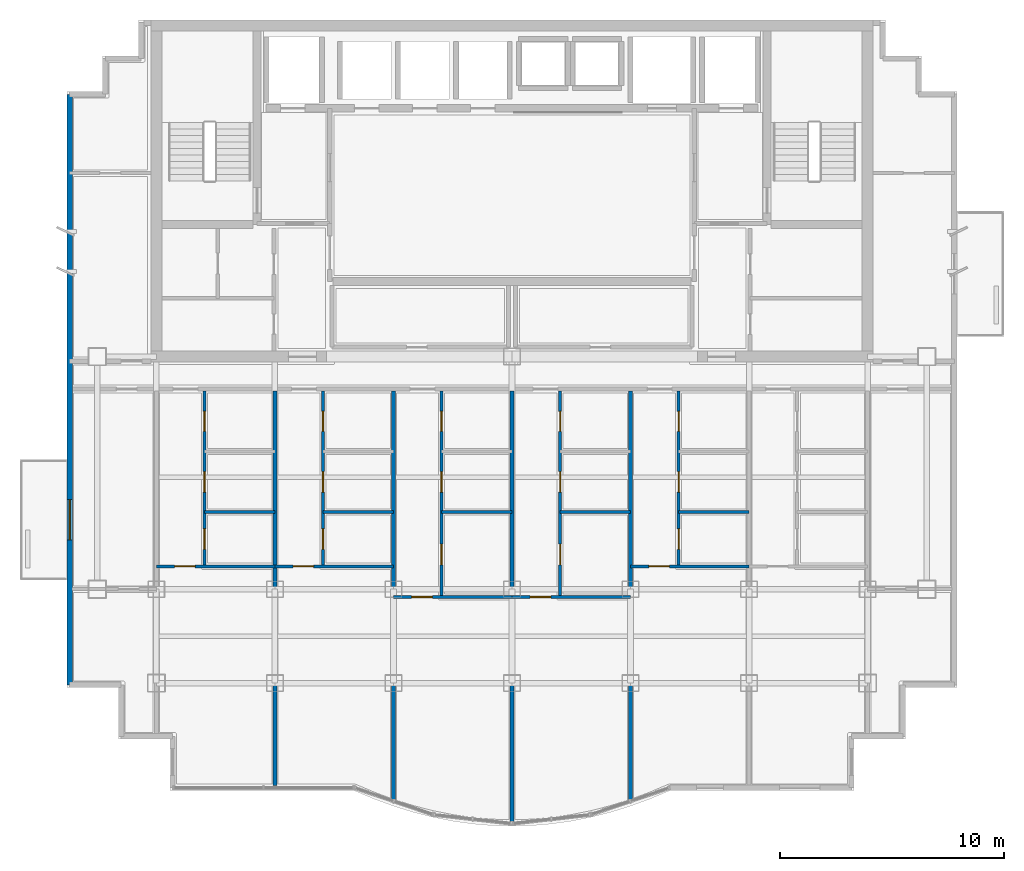
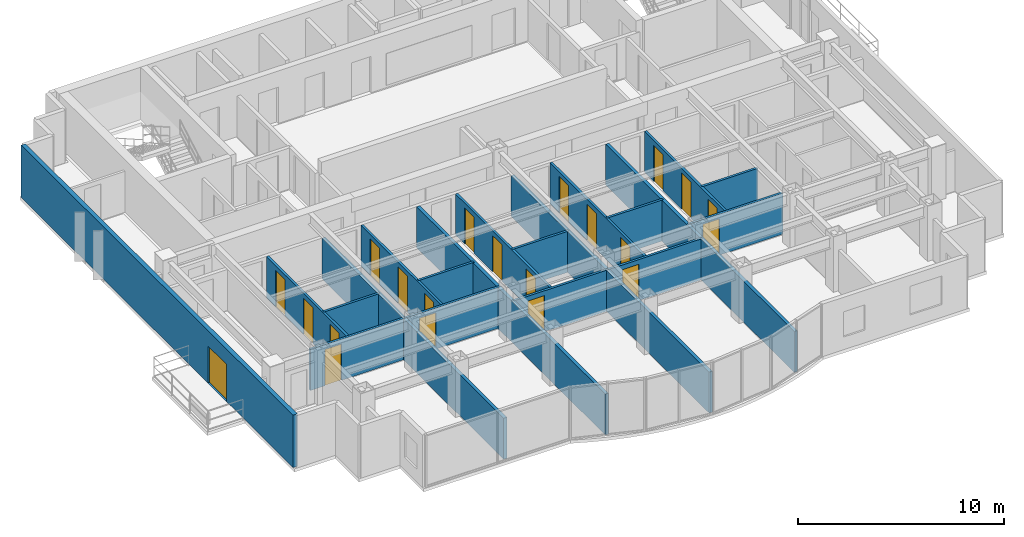
# One storey, part 4 of 9: 21 doors, 20 walls, 21 openings.
"""IFC4 building model written with IfcOpenShell, lengths in metres."""

from ifc_helpers import new_model, si_unit, direction, frame, frame_2d, origin, place, context, subcontext, project, spatial, rectangle, extrude, material, layer, layer_set, type_object, element, fill, save


model = new_model("IFC4")

# Units and contexts
model_context = context("Model", 3, precision=1e-05, world=origin(), true_north=direction((0.0, 1.0)))
body_context = subcontext(model_context, "Body", "Model", "MODEL_VIEW")
ifc_project = project(units=[si_unit("LENGTHUNIT", "METRE"), si_unit("AREAUNIT", "SQUARE_METRE"), si_unit("VOLUMEUNIT", "CUBIC_METRE"), si_unit("PLANEANGLEUNIT", "RADIAN"), si_unit("MASSUNIT", "GRAM", prefix="KILO")], contexts=[model_context])

# Site, building, storey
site_placement = place(None, origin())
site = spatial("IfcSite", under=ifc_project, at=site_placement, CompositionType="ELEMENT")
building_placement = place(site_placement, origin())
building = spatial("IfcBuilding", under=site, at=building_placement, Name="Qianlan Lanfeng Residences", CompositionType="ELEMENT")
storey_placement = place(building_placement, frame((0.0, 0.0, 229.699951171875)))
storey = spatial("IfcBuildingStorey", under=building, at=storey_placement, Name="L63", CompositionType="ELEMENT", Elevation=229.699951171875)

# Wall, opening, door
ifc_material_1 = material(Name="Concrete C42", Category="concrete")
ifc_layer_1 = layer(ifc_material_1, 0.239990234375)
ifc_layer_set_1 = layer_set([ifc_layer_1], Name="Concrete C42")
wall_type_1 = type_object("IfcWallType", Name="EW-240", PredefinedType="SOLIDWALL", material=ifc_layer_set_1)
wall_1_placement = place(storey_placement, frame((6.719970703125, 36.929931640625, 0.0), z_axis=(0.0, 0.0, 1.0), x_axis=(0.0, -1.0, 0.0)))
wall_1 = element("IfcWall", 1, at=wall_1_placement, inside=storey, type_object=wall_type_1, Name="L63 Terrace/Balcony Access Exterior Wall 21", PredefinedType="SOLIDWALL", context=body_context, shape_type="SweptSolid", body=[
    extrude(rectangle(XDim=26.409912109375, YDim=0.239990234375, at=frame_2d((13.205078125, 0.0))), origin(), (0.0, 0.0, 1.0), 3.110107421875),
])
opening_1_placement = place(wall_1_placement, frame((18.1298828125, 0.0, 0.0)))
opening_1 = element("IfcOpeningElement", 2, at=opening_1_placement, cuts=wall_1, Name="Opening L63-D-WB-S", PredefinedType="OPENING", context=body_context, shape_type="SweptSolid", body=[
    extrude(rectangle(XDim=1.800048828125, YDim=2.199951171875, at=frame_2d((0.89990234375, 1.10009765625))), frame((0.0, 0.1298828125, 0.0), z_axis=(0.0, -1.0, 0.0), x_axis=(1.0, 0.0, 0.0)), (0.0, 0.0, 1.0), 0.260009765625),
])
ifc_material_2 = material(Name="Anodised Bronze Aluminium Framed Glass", Category="aluminium")
door_type_1 = type_object("IfcDoorType", Name="DT-BAL1", OperationType="NOTDEFINED", PredefinedType="DOOR", material=ifc_material_2)
door_1_placement = place(opening_1_placement, frame((1.800048828125, 0.0, 0.0), z_axis=(0.0, 0.0, 1.0), x_axis=(-1.0, 0.0, 0.0)))
door_1 = element("IfcDoor", 3, at=door_1_placement, inside=storey, type_object=door_type_1, Name="L63 Exterior Access Door WB-S", OperationType="DOUBLE_DOOR_SLIDING", OverallHeight=2.199951171875, OverallWidth=1.800048828125, PredefinedType="DOOR", context=body_context, shape_type="SweptSolid", body=[
    extrude(rectangle(XDim=1.800048828125, YDim=2.199951171875, at=frame_2d((0.89990234375, 1.10009765625))), frame((0.0, 0.02490234375, 0.0), z_axis=(0.0, -1.0, 0.0), x_axis=(1.0, 0.0, 0.0)), (0.0, 0.0, 1.0), 0.050048828125),
])
fill(opening_1, door_1)

ifc_material_3 = material(Name="Moisture-Resistant Gypsum Partition 135 mm")
ifc_layer_2 = layer(ifc_material_3, 0.135009765625)
ifc_layer_set_2 = layer_set([ifc_layer_2], Name="Moisture-Resistant Gypsum Partition 135 mm")
wall_type_2 = type_object("IfcWallType", Name="PW-135", PredefinedType="PARTITIONING", material=ifc_layer_set_2)
wall_2_placement = place(storey_placement, frame((10.60009765625, 15.820068359375, 0.0), z_axis=(0.0, 0.0, 1.0), x_axis=(1.0, 0.0, 0.0)))
wall_2 = element("IfcWall", 4, at=wall_2_placement, inside=storey, type_object=wall_type_2, Name="L63 U01 Living Divider", PredefinedType="PARTITIONING", context=body_context, shape_type="SweptSolid", body=[
    extrude(rectangle(XDim=5.2998046875, YDim=0.135009765625, at=frame_2d((2.64990234375, 0.0))), origin(), (0.0, 0.0, 1.0), 2.429931640625),
])
opening_2_placement = place(wall_2_placement, frame((0.81494140625, 0.0, 0.0)))
opening_2 = element("IfcOpeningElement", 5, at=opening_2_placement, cuts=wall_2, Name="Opening L63-D19", PredefinedType="OPENING", context=body_context, shape_type="SweptSolid", body=[
    extrude(rectangle(XDim=0.919921875, YDim=2.14990234375, at=frame_2d((0.4599609375, 1.074951171875))), frame((0.0, 0.07763671875, 0.0), z_axis=(0.0, -1.0, 0.0), x_axis=(1.0, 0.0, 0.0)), (0.0, 0.0, 1.0), 0.155029296875),
])
ifc_material_4 = material(Name="Glazed Timber Kitchen/Study Door", Category="wood")
door_type_2 = type_object("IfcDoorType", Name="DT-INT", OperationType="NOTDEFINED", PredefinedType="DOOR", material=ifc_material_4)
door_2_placement = place(opening_2_placement, origin())
door_2 = element("IfcDoor", 6, at=door_2_placement, inside=storey, type_object=door_type_2, Name="L63 U01 Living Passage Door L63-D19 (DT-INT)", OperationType="SINGLE_SWING_LEFT", OverallHeight=2.14990234375, OverallWidth=0.919921875, PredefinedType="DOOR", context=body_context, shape_type="SweptSolid", body=[
    extrude(rectangle(XDim=0.919921875, YDim=2.14990234375, at=frame_2d((0.4599609375, 1.074951171875))), frame((0.0, 0.02490234375, 0.0), z_axis=(0.0, -1.0, 0.0), x_axis=(1.0, 0.0, 0.0)), (0.0, 0.0, 1.0), 0.050048828125),
])
fill(opening_2, door_2)

# Wall, openings, doors
wall_3_placement = place(storey_placement, frame((12.75, 15.820068359375, 0.0), z_axis=(0.0, 0.0, 1.0), x_axis=(0.0, 1.0, 0.0)))
wall_3 = element("IfcWall", 7, at=wall_3_placement, inside=storey, type_object=wall_type_2, Name="L63 U01 Entry Hall Spine", PredefinedType="PARTITIONING", context=body_context, shape_type="SweptSolid", body=[
    extrude(rectangle(XDim=7.829833984375, YDim=0.135009765625, at=frame_2d((3.9150390625, 0.0))), origin(), (0.0, 0.0, 1.0), 2.429931640625),
])
opening_3_placement = place(wall_3_placement, frame((0.7548828125, 0.0, 0.0)))
opening_3 = element("IfcOpeningElement", 8, at=opening_3_placement, cuts=wall_3, Name="Opening L63-D20", PredefinedType="OPENING", context=body_context, shape_type="SweptSolid", body=[
    extrude(rectangle(XDim=0.919921875, YDim=2.14990234375, at=frame_2d((0.4599609375, 1.074951171875))), frame((0.0, 0.07763671875, 0.0), z_axis=(0.0, -1.0, 0.0), x_axis=(1.0, 0.0, 0.0)), (0.0, 0.0, 1.0), 0.155029296875),
])
opening_4_placement = place(wall_3_placement, frame((3.320068359375, 0.0, 0.0)))
opening_4 = element("IfcOpeningElement", 9, at=opening_4_placement, cuts=wall_3, Name="Opening L63-D21", PredefinedType="OPENING", context=body_context, shape_type="SweptSolid", body=[
    extrude(rectangle(XDim=0.919921875, YDim=2.14990234375, at=frame_2d((0.4599609375, 1.074951171875))), frame((0.0, 0.07763671875, 0.0), z_axis=(0.0, -1.0, 0.0), x_axis=(1.0, 0.0, 0.0)), (0.0, 0.0, 1.0), 0.155029296875),
])
opening_5_placement = place(wall_3_placement, frame((6.030029296875, 0.0, 0.0)))
opening_5 = element("IfcOpeningElement", 10, at=opening_5_placement, cuts=wall_3, Name="Opening L63-D22", PredefinedType="OPENING", context=body_context, shape_type="SweptSolid", body=[
    extrude(rectangle(XDim=0.89990234375, YDim=2.14990234375, at=frame_2d((0.449951171875, 1.074951171875))), frame((0.0, 0.07763671875, 0.0), z_axis=(0.0, -1.0, 0.0), x_axis=(1.0, 0.0, 0.0)), (0.0, 0.0, 1.0), 0.155029296875),
])
door_3_placement = place(opening_3_placement, origin())
door_3 = element("IfcDoor", 11, at=door_3_placement, inside=storey, type_object=door_type_2, Name="L63 U01 Study Door L63-D20 (DT-INT)", OperationType="SINGLE_SWING_RIGHT", OverallHeight=2.14990234375, OverallWidth=0.919921875, PredefinedType="DOOR", context=body_context, shape_type="SweptSolid", body=[
    extrude(rectangle(XDim=0.919921875, YDim=2.14990234375, at=frame_2d((0.4599609375, 1.074951171875))), frame((0.0, 0.02490234375, 0.0), z_axis=(0.0, -1.0, 0.0), x_axis=(1.0, 0.0, 0.0)), (0.0, 0.0, 1.0), 0.050048828125),
])
fill(opening_3, door_3)
door_4_placement = place(opening_4_placement, origin())
door_4 = element("IfcDoor", 12, at=door_4_placement, inside=storey, type_object=door_type_2, Name="L63 U01 Kitchen Door L63-D21 (DT-INT)", OperationType="SINGLE_SWING_RIGHT", OverallHeight=2.14990234375, OverallWidth=0.919921875, PredefinedType="DOOR", context=body_context, shape_type="SweptSolid", body=[
    extrude(rectangle(XDim=0.919921875, YDim=2.14990234375, at=frame_2d((0.4599609375, 1.074951171875))), frame((0.0, 0.02490234375, 0.0), z_axis=(0.0, -1.0, 0.0), x_axis=(1.0, 0.0, 0.0)), (0.0, 0.0, 1.0), 0.050048828125),
])
fill(opening_4, door_4)
ifc_material_5 = material(Name="Moisture-Resistant Timber Leaf", Category="wood")
door_type_3 = type_object("IfcDoorType", Name="DT-WC", OperationType="NOTDEFINED", PredefinedType="DOOR", material=ifc_material_5)
door_5_placement = place(opening_5_placement, origin())
door_5 = element("IfcDoor", 13, at=door_5_placement, inside=storey, type_object=door_type_3, Name="L63 U01 Bathroom Door L63-D22 (DT-WC)", OperationType="SINGLE_SWING_LEFT", OverallHeight=2.14990234375, OverallWidth=0.89990234375, PredefinedType="DOOR", context=body_context, shape_type="SweptSolid", body=[
    extrude(rectangle(XDim=0.89990234375, YDim=2.14990234375, at=frame_2d((0.449951171875, 1.074951171875))), frame((0.0, 0.02490234375, 0.0), z_axis=(0.0, -1.0, 0.0), x_axis=(1.0, 0.0, 0.0)), (0.0, 0.0, 1.0), 0.050048828125),
])
fill(opening_5, door_5)

# Wall
wall_4_placement = place(storey_placement, frame((12.75, 18.25, 0.0), z_axis=(0.0, 0.0, 1.0), x_axis=(1.0, 0.0, 0.0)))
element("IfcWall", 14, at=wall_4_placement, inside=storey, type_object=wall_type_2, Name="L63 U01 Kitchen South Wall", PredefinedType="PARTITIONING", context=body_context, shape_type="SweptSolid", body=[
    extrude(rectangle(XDim=3.14990234375, YDim=0.135009765625, at=frame_2d((1.574951171875, 0.0))), origin(), (0.0, 0.0, 1.0), 2.429931640625),
])

# Wall, opening, door
wall_5_placement = place(storey_placement, frame((15.89990234375, 15.820068359375, 0.0), z_axis=(0.0, 0.0, 1.0), x_axis=(1.0, 0.0, 0.0)))
wall_5 = element("IfcWall", 15, at=wall_5_placement, inside=storey, type_object=wall_type_2, Name="L63 U02 Living Divider", PredefinedType="PARTITIONING", context=body_context, shape_type="SweptSolid", body=[
    extrude(rectangle(XDim=5.300048828125, YDim=0.135009765625, at=frame_2d((2.64990234375, 0.0))), origin(), (0.0, 0.0, 1.0), 2.429931640625),
])
opening_6_placement = place(wall_5_placement, frame((0.81494140625, 0.0, 0.0)))
opening_6 = element("IfcOpeningElement", 16, at=opening_6_placement, cuts=wall_5, Name="Opening L63-D24", PredefinedType="OPENING", context=body_context, shape_type="SweptSolid", body=[
    extrude(rectangle(XDim=0.919921875, YDim=2.14990234375, at=frame_2d((0.4599609375, 1.074951171875))), frame((0.0, 0.07763671875, 0.0), z_axis=(0.0, -1.0, 0.0), x_axis=(1.0, 0.0, 0.0)), (0.0, 0.0, 1.0), 0.155029296875),
])
door_6_placement = place(opening_6_placement, origin())
door_6 = element("IfcDoor", 17, at=door_6_placement, inside=storey, type_object=door_type_2, Name="L63 U02 Living Passage Door L63-D24 (DT-INT)", OperationType="SINGLE_SWING_LEFT", OverallHeight=2.14990234375, OverallWidth=0.919921875, PredefinedType="DOOR", context=body_context, shape_type="SweptSolid", body=[
    extrude(rectangle(XDim=0.919921875, YDim=2.14990234375, at=frame_2d((0.4599609375, 1.074951171875))), frame((0.0, 0.02490234375, 0.0), z_axis=(0.0, -1.0, 0.0), x_axis=(1.0, 0.0, 0.0)), (0.0, 0.0, 1.0), 0.050048828125),
])
fill(opening_6, door_6)

# Wall, openings, doors
wall_6_placement = place(storey_placement, frame((18.050048828125, 15.820068359375, 0.0), z_axis=(0.0, 0.0, 1.0), x_axis=(0.0, 1.0, 0.0)))
wall_6 = element("IfcWall", 18, at=wall_6_placement, inside=storey, type_object=wall_type_2, Name="L63 U02 Entry Hall Spine", PredefinedType="PARTITIONING", context=body_context, shape_type="SweptSolid", body=[
    extrude(rectangle(XDim=7.829833984375, YDim=0.135009765625, at=frame_2d((3.9150390625, 0.0))), origin(), (0.0, 0.0, 1.0), 2.429931640625),
])
opening_7_placement = place(wall_6_placement, frame((0.7548828125, 0.0, 0.0)))
opening_7 = element("IfcOpeningElement", 19, at=opening_7_placement, cuts=wall_6, Name="Opening L63-D25", PredefinedType="OPENING", context=body_context, shape_type="SweptSolid", body=[
    extrude(rectangle(XDim=0.919921875, YDim=2.14990234375, at=frame_2d((0.4599609375, 1.074951171875))), frame((0.0, 0.07763671875, 0.0), z_axis=(0.0, -1.0, 0.0), x_axis=(1.0, 0.0, 0.0)), (0.0, 0.0, 1.0), 0.155029296875),
])
opening_8_placement = place(wall_6_placement, frame((3.320068359375, 0.0, 0.0)))
opening_8 = element("IfcOpeningElement", 20, at=opening_8_placement, cuts=wall_6, Name="Opening L63-D26", PredefinedType="OPENING", context=body_context, shape_type="SweptSolid", body=[
    extrude(rectangle(XDim=0.919921875, YDim=2.14990234375, at=frame_2d((0.4599609375, 1.074951171875))), frame((0.0, 0.07763671875, 0.0), z_axis=(0.0, -1.0, 0.0), x_axis=(1.0, 0.0, 0.0)), (0.0, 0.0, 1.0), 0.155029296875),
])
opening_9_placement = place(wall_6_placement, frame((6.030029296875, 0.0, 0.0)))
opening_9 = element("IfcOpeningElement", 21, at=opening_9_placement, cuts=wall_6, Name="Opening L63-D27", PredefinedType="OPENING", context=body_context, shape_type="SweptSolid", body=[
    extrude(rectangle(XDim=0.89990234375, YDim=2.14990234375, at=frame_2d((0.449951171875, 1.074951171875))), frame((0.0, 0.07763671875, 0.0), z_axis=(0.0, -1.0, 0.0), x_axis=(1.0, 0.0, 0.0)), (0.0, 0.0, 1.0), 0.155029296875),
])
door_7_placement = place(opening_7_placement, origin())
door_7 = element("IfcDoor", 22, at=door_7_placement, inside=storey, type_object=door_type_2, Name="L63 U02 Study Door L63-D25 (DT-INT)", OperationType="SINGLE_SWING_RIGHT", OverallHeight=2.14990234375, OverallWidth=0.919921875, PredefinedType="DOOR", context=body_context, shape_type="SweptSolid", body=[
    extrude(rectangle(XDim=0.919921875, YDim=2.14990234375, at=frame_2d((0.4599609375, 1.074951171875))), frame((0.0, 0.02490234375, 0.0), z_axis=(0.0, -1.0, 0.0), x_axis=(1.0, 0.0, 0.0)), (0.0, 0.0, 1.0), 0.050048828125),
])
fill(opening_7, door_7)
door_8_placement = place(opening_8_placement, origin())
door_8 = element("IfcDoor", 23, at=door_8_placement, inside=storey, type_object=door_type_2, Name="L63 U02 Kitchen Door L63-D26 (DT-INT)", OperationType="SINGLE_SWING_LEFT", OverallHeight=2.14990234375, OverallWidth=0.919921875, PredefinedType="DOOR", context=body_context, shape_type="SweptSolid", body=[
    extrude(rectangle(XDim=0.919921875, YDim=2.14990234375, at=frame_2d((0.4599609375, 1.074951171875))), frame((0.0, 0.02490234375, 0.0), z_axis=(0.0, -1.0, 0.0), x_axis=(1.0, 0.0, 0.0)), (0.0, 0.0, 1.0), 0.050048828125),
])
fill(opening_8, door_8)
door_9_placement = place(opening_9_placement, origin())
door_9 = element("IfcDoor", 24, at=door_9_placement, inside=storey, type_object=door_type_3, Name="L63 U02 Bathroom Door L63-D27 (DT-WC)", OperationType="SINGLE_SWING_RIGHT", OverallHeight=2.14990234375, OverallWidth=0.89990234375, PredefinedType="DOOR", context=body_context, shape_type="SweptSolid", body=[
    extrude(rectangle(XDim=0.89990234375, YDim=2.14990234375, at=frame_2d((0.449951171875, 1.074951171875))), frame((0.0, 0.02490234375, 0.0), z_axis=(0.0, -1.0, 0.0), x_axis=(1.0, 0.0, 0.0)), (0.0, 0.0, 1.0), 0.050048828125),
])
fill(opening_9, door_9)

# Wall
wall_7_placement = place(storey_placement, frame((18.050048828125, 18.25, 0.0), z_axis=(0.0, 0.0, 1.0), x_axis=(1.0, 0.0, 0.0)))
element("IfcWall", 25, at=wall_7_placement, inside=storey, type_object=wall_type_2, Name="L63 U02 Kitchen South Wall", PredefinedType="PARTITIONING", context=body_context, shape_type="SweptSolid", body=[
    extrude(rectangle(XDim=3.14990234375, YDim=0.135009765625, at=frame_2d((1.574951171875, 0.0))), origin(), (0.0, 0.0, 1.0), 2.429931640625),
])

# Wall, opening, door
wall_8_placement = place(storey_placement, frame((21.199951171875, 14.447998046875, 0.0), z_axis=(0.0, 0.0, 1.0), x_axis=(1.0, 0.0, 0.0)))
wall_8 = element("IfcWall", 26, at=wall_8_placement, inside=storey, type_object=wall_type_2, Name="L63 U03 Living Divider", PredefinedType="PARTITIONING", context=body_context, shape_type="SweptSolid", body=[
    extrude(rectangle(XDim=5.300048828125, YDim=0.135009765625, at=frame_2d((2.64990234375, 0.0))), origin(), (0.0, 0.0, 1.0), 2.429931640625),
])
opening_10_placement = place(wall_8_placement, frame((0.81494140625, 0.0, 0.0)))
opening_10 = element("IfcOpeningElement", 27, at=opening_10_placement, cuts=wall_8, Name="Opening L63-D29", PredefinedType="OPENING", context=body_context, shape_type="SweptSolid", body=[
    extrude(rectangle(XDim=0.919921875, YDim=2.14990234375, at=frame_2d((0.4599609375, 1.074951171875))), frame((0.0, 0.07763671875, 0.0), z_axis=(0.0, -1.0, 0.0), x_axis=(1.0, 0.0, 0.0)), (0.0, 0.0, 1.0), 0.155029296875),
])
door_10_placement = place(opening_10_placement, frame((0.919921875, 0.0, 0.0), z_axis=(0.0, 0.0, 1.0), x_axis=(-1.0, 0.0, 0.0)))
door_10 = element("IfcDoor", 28, at=door_10_placement, inside=storey, type_object=door_type_2, Name="L63 U03 Living Passage Door L63-D29 (DT-INT)", OperationType="SINGLE_SWING_LEFT", OverallHeight=2.14990234375, OverallWidth=0.919921875, PredefinedType="DOOR", context=body_context, shape_type="SweptSolid", body=[
    extrude(rectangle(XDim=0.919921875, YDim=2.14990234375, at=frame_2d((0.4599609375, 1.074951171875))), frame((0.0, 0.02490234375, 0.0), z_axis=(0.0, -1.0, 0.0), x_axis=(1.0, 0.0, 0.0)), (0.0, 0.0, 1.0), 0.050048828125),
])
fill(opening_10, door_10)

# Wall, openings, doors
wall_9_placement = place(storey_placement, frame((23.35009765625, 14.447998046875, 0.0), z_axis=(0.0, 0.0, 1.0), x_axis=(0.0, 1.0, 0.0)))
wall_9 = element("IfcWall", 29, at=wall_9_placement, inside=storey, type_object=wall_type_2, Name="L63 U03 Entry Hall Spine", PredefinedType="PARTITIONING", context=body_context, shape_type="SweptSolid", body=[
    extrude(rectangle(XDim=9.201904296875, YDim=0.135009765625, at=frame_2d((4.60107421875, 0.0))), origin(), (0.0, 0.0, 1.0), 2.429931640625),
])
opening_11_placement = place(wall_9_placement, frame((1.44091796875, 0.0, 0.0)))
opening_11 = element("IfcOpeningElement", 30, at=opening_11_placement, cuts=wall_9, Name="Opening L63-D30", PredefinedType="OPENING", context=body_context, shape_type="SweptSolid", body=[
    extrude(rectangle(XDim=0.919921875, YDim=2.14990234375, at=frame_2d((0.4599609375, 1.074951171875))), frame((0.0, 0.07763671875, 0.0), z_axis=(0.0, -1.0, 0.0), x_axis=(1.0, 0.0, 0.0)), (0.0, 0.0, 1.0), 0.155029296875),
])
opening_12_placement = place(wall_9_placement, frame((4.69189453125, 0.0, 0.0)))
opening_12 = element("IfcOpeningElement", 31, at=opening_12_placement, cuts=wall_9, Name="Opening L63-D31", PredefinedType="OPENING", context=body_context, shape_type="SweptSolid", body=[
    extrude(rectangle(XDim=0.919921875, YDim=2.14990234375, at=frame_2d((0.4599609375, 1.074951171875))), frame((0.0, 0.07763671875, 0.0), z_axis=(0.0, -1.0, 0.0), x_axis=(1.0, 0.0, 0.0)), (0.0, 0.0, 1.0), 0.155029296875),
])
opening_13_placement = place(wall_9_placement, frame((7.402099609375, 0.0, 0.0)))
opening_13 = element("IfcOpeningElement", 32, at=opening_13_placement, cuts=wall_9, Name="Opening L63-D32", PredefinedType="OPENING", context=body_context, shape_type="SweptSolid", body=[
    extrude(rectangle(XDim=0.89990234375, YDim=2.14990234375, at=frame_2d((0.449951171875, 1.074951171875))), frame((0.0, 0.07763671875, 0.0), z_axis=(0.0, -1.0, 0.0), x_axis=(1.0, 0.0, 0.0)), (0.0, 0.0, 1.0), 0.155029296875),
])
door_11_placement = place(opening_11_placement, origin())
door_11 = element("IfcDoor", 33, at=door_11_placement, inside=storey, type_object=door_type_2, Name="L63 U03 Study Door L63-D30 (DT-INT)", OperationType="SINGLE_SWING_LEFT", OverallHeight=2.14990234375, OverallWidth=0.919921875, PredefinedType="DOOR", context=body_context, shape_type="SweptSolid", body=[
    extrude(rectangle(XDim=0.919921875, YDim=2.14990234375, at=frame_2d((0.4599609375, 1.074951171875))), frame((0.0, 0.02490234375, 0.0), z_axis=(0.0, -1.0, 0.0), x_axis=(1.0, 0.0, 0.0)), (0.0, 0.0, 1.0), 0.050048828125),
])
fill(opening_11, door_11)
door_12_placement = place(opening_12_placement, origin())
door_12 = element("IfcDoor", 34, at=door_12_placement, inside=storey, type_object=door_type_2, Name="L63 U03 Kitchen Door L63-D31 (DT-INT)", OperationType="SINGLE_SWING_RIGHT", OverallHeight=2.14990234375, OverallWidth=0.919921875, PredefinedType="DOOR", context=body_context, shape_type="SweptSolid", body=[
    extrude(rectangle(XDim=0.919921875, YDim=2.14990234375, at=frame_2d((0.4599609375, 1.074951171875))), frame((0.0, 0.02490234375, 0.0), z_axis=(0.0, -1.0, 0.0), x_axis=(1.0, 0.0, 0.0)), (0.0, 0.0, 1.0), 0.050048828125),
])
fill(opening_12, door_12)
door_13_placement = place(opening_13_placement, origin())
door_13 = element("IfcDoor", 35, at=door_13_placement, inside=storey, type_object=door_type_3, Name="L63 U03 Bathroom Door L63-D32 (DT-WC)", OperationType="SINGLE_SWING_LEFT", OverallHeight=2.14990234375, OverallWidth=0.89990234375, PredefinedType="DOOR", context=body_context, shape_type="SweptSolid", body=[
    extrude(rectangle(XDim=0.89990234375, YDim=2.14990234375, at=frame_2d((0.449951171875, 1.074951171875))), frame((0.0, 0.02490234375, 0.0), z_axis=(0.0, -1.0, 0.0), x_axis=(1.0, 0.0, 0.0)), (0.0, 0.0, 1.0), 0.050048828125),
])
fill(opening_13, door_13)

# Wall
wall_10_placement = place(storey_placement, frame((23.35009765625, 18.25, 0.0), z_axis=(0.0, 0.0, 1.0), x_axis=(1.0, 0.0, 0.0)))
element("IfcWall", 36, at=wall_10_placement, inside=storey, type_object=wall_type_2, Name="L63 U03 Kitchen South Wall", PredefinedType="PARTITIONING", context=body_context, shape_type="SweptSolid", body=[
    extrude(rectangle(XDim=3.14990234375, YDim=0.135009765625, at=frame_2d((1.574951171875, 0.0))), origin(), (0.0, 0.0, 1.0), 2.429931640625),
])

# Wall, opening, door
wall_11_placement = place(storey_placement, frame((26.5, 14.447998046875, 0.0), z_axis=(0.0, 0.0, 1.0), x_axis=(1.0, 0.0, 0.0)))
wall_11 = element("IfcWall", 37, at=wall_11_placement, inside=storey, type_object=wall_type_2, Name="L63 U04 Living Divider", PredefinedType="PARTITIONING", context=body_context, shape_type="SweptSolid", body=[
    extrude(rectangle(XDim=5.300048828125, YDim=0.135009765625, at=frame_2d((2.64990234375, 0.0))), origin(), (0.0, 0.0, 1.0), 2.429931640625),
])
opening_14_placement = place(wall_11_placement, frame((0.81494140625, 0.0, 0.0)))
opening_14 = element("IfcOpeningElement", 38, at=opening_14_placement, cuts=wall_11, Name="Opening L63-D34", PredefinedType="OPENING", context=body_context, shape_type="SweptSolid", body=[
    extrude(rectangle(XDim=0.919921875, YDim=2.14990234375, at=frame_2d((0.4599609375, 1.074951171875))), frame((0.0, 0.07763671875, 0.0), z_axis=(0.0, -1.0, 0.0), x_axis=(1.0, 0.0, 0.0)), (0.0, 0.0, 1.0), 0.155029296875),
])
door_14_placement = place(opening_14_placement, frame((0.919921875, 0.0, 0.0), z_axis=(0.0, 0.0, 1.0), x_axis=(-1.0, 0.0, 0.0)))
door_14 = element("IfcDoor", 39, at=door_14_placement, inside=storey, type_object=door_type_2, Name="L63 U04 Living Passage Door L63-D34 (DT-INT)", OperationType="SINGLE_SWING_LEFT", OverallHeight=2.14990234375, OverallWidth=0.919921875, PredefinedType="DOOR", context=body_context, shape_type="SweptSolid", body=[
    extrude(rectangle(XDim=0.919921875, YDim=2.14990234375, at=frame_2d((0.4599609375, 1.074951171875))), frame((0.0, 0.02490234375, 0.0), z_axis=(0.0, -1.0, 0.0), x_axis=(1.0, 0.0, 0.0)), (0.0, 0.0, 1.0), 0.050048828125),
])
fill(opening_14, door_14)

# Wall, openings, doors
wall_12_placement = place(storey_placement, frame((28.64990234375, 14.447998046875, 0.0), z_axis=(0.0, 0.0, 1.0), x_axis=(0.0, 1.0, 0.0)))
wall_12 = element("IfcWall", 40, at=wall_12_placement, inside=storey, type_object=wall_type_2, Name="L63 U04 Entry Hall Spine", PredefinedType="PARTITIONING", context=body_context, shape_type="SweptSolid", body=[
    extrude(rectangle(XDim=9.201904296875, YDim=0.135009765625, at=frame_2d((4.60107421875, 0.0))), origin(), (0.0, 0.0, 1.0), 2.429931640625),
])
opening_15_placement = place(wall_12_placement, frame((1.44091796875, 0.0, 0.0)))
opening_15 = element("IfcOpeningElement", 41, at=opening_15_placement, cuts=wall_12, Name="Opening L63-D35", PredefinedType="OPENING", context=body_context, shape_type="SweptSolid", body=[
    extrude(rectangle(XDim=0.919921875, YDim=2.14990234375, at=frame_2d((0.4599609375, 1.074951171875))), frame((0.0, 0.07763671875, 0.0), z_axis=(0.0, -1.0, 0.0), x_axis=(1.0, 0.0, 0.0)), (0.0, 0.0, 1.0), 0.155029296875),
])
opening_16_placement = place(wall_12_placement, frame((4.69189453125, 0.0, 0.0)))
opening_16 = element("IfcOpeningElement", 42, at=opening_16_placement, cuts=wall_12, Name="Opening L63-D36", PredefinedType="OPENING", context=body_context, shape_type="SweptSolid", body=[
    extrude(rectangle(XDim=0.919921875, YDim=2.14990234375, at=frame_2d((0.4599609375, 1.074951171875))), frame((0.0, 0.07763671875, 0.0), z_axis=(0.0, -1.0, 0.0), x_axis=(1.0, 0.0, 0.0)), (0.0, 0.0, 1.0), 0.155029296875),
])
opening_17_placement = place(wall_12_placement, frame((7.402099609375, 0.0, 0.0)))
opening_17 = element("IfcOpeningElement", 43, at=opening_17_placement, cuts=wall_12, Name="Opening L63-D37", PredefinedType="OPENING", context=body_context, shape_type="SweptSolid", body=[
    extrude(rectangle(XDim=0.89990234375, YDim=2.14990234375, at=frame_2d((0.449951171875, 1.074951171875))), frame((0.0, 0.07763671875, 0.0), z_axis=(0.0, -1.0, 0.0), x_axis=(1.0, 0.0, 0.0)), (0.0, 0.0, 1.0), 0.155029296875),
])
door_15_placement = place(opening_15_placement, origin())
door_15 = element("IfcDoor", 44, at=door_15_placement, inside=storey, type_object=door_type_2, Name="L63 U04 Study Door L63-D35 (DT-INT)", OperationType="SINGLE_SWING_RIGHT", OverallHeight=2.14990234375, OverallWidth=0.919921875, PredefinedType="DOOR", context=body_context, shape_type="SweptSolid", body=[
    extrude(rectangle(XDim=0.919921875, YDim=2.14990234375, at=frame_2d((0.4599609375, 1.074951171875))), frame((0.0, 0.02490234375, 0.0), z_axis=(0.0, -1.0, 0.0), x_axis=(1.0, 0.0, 0.0)), (0.0, 0.0, 1.0), 0.050048828125),
])
fill(opening_15, door_15)
door_16_placement = place(opening_16_placement, origin())
door_16 = element("IfcDoor", 45, at=door_16_placement, inside=storey, type_object=door_type_2, Name="L63 U04 Kitchen Door L63-D36 (DT-INT)", OperationType="SINGLE_SWING_LEFT", OverallHeight=2.14990234375, OverallWidth=0.919921875, PredefinedType="DOOR", context=body_context, shape_type="SweptSolid", body=[
    extrude(rectangle(XDim=0.919921875, YDim=2.14990234375, at=frame_2d((0.4599609375, 1.074951171875))), frame((0.0, 0.02490234375, 0.0), z_axis=(0.0, -1.0, 0.0), x_axis=(1.0, 0.0, 0.0)), (0.0, 0.0, 1.0), 0.050048828125),
])
fill(opening_16, door_16)
door_17_placement = place(opening_17_placement, origin())
door_17 = element("IfcDoor", 46, at=door_17_placement, inside=storey, type_object=door_type_3, Name="L63 U04 Bathroom Door L63-D37 (DT-WC)", OperationType="SINGLE_SWING_RIGHT", OverallHeight=2.14990234375, OverallWidth=0.89990234375, PredefinedType="DOOR", context=body_context, shape_type="SweptSolid", body=[
    extrude(rectangle(XDim=0.89990234375, YDim=2.14990234375, at=frame_2d((0.449951171875, 1.074951171875))), frame((0.0, 0.02490234375, 0.0), z_axis=(0.0, -1.0, 0.0), x_axis=(1.0, 0.0, 0.0)), (0.0, 0.0, 1.0), 0.050048828125),
])
fill(opening_17, door_17)

# Wall
wall_13_placement = place(storey_placement, frame((28.64990234375, 18.25, 0.0), z_axis=(0.0, 0.0, 1.0), x_axis=(1.0, 0.0, 0.0)))
element("IfcWall", 47, at=wall_13_placement, inside=storey, type_object=wall_type_2, Name="L63 U04 Kitchen South Wall", PredefinedType="PARTITIONING", context=body_context, shape_type="SweptSolid", body=[
    extrude(rectangle(XDim=3.150146484375, YDim=0.135009765625, at=frame_2d((1.5751953125, 0.0))), origin(), (0.0, 0.0, 1.0), 2.429931640625),
])

# Wall, opening, door
wall_14_placement = place(storey_placement, frame((31.800048828125, 15.820068359375, 0.0), z_axis=(0.0, 0.0, 1.0), x_axis=(1.0, 0.0, 0.0)))
wall_14 = element("IfcWall", 48, at=wall_14_placement, inside=storey, type_object=wall_type_2, Name="L63 U05 Living Divider", PredefinedType="PARTITIONING", context=body_context, shape_type="SweptSolid", body=[
    extrude(rectangle(XDim=5.300048828125, YDim=0.135009765625, at=frame_2d((2.64990234375, 0.0))), origin(), (0.0, 0.0, 1.0), 2.429931640625),
])
opening_18_placement = place(wall_14_placement, frame((0.81494140625, 0.0, 0.0)))
opening_18 = element("IfcOpeningElement", 49, at=opening_18_placement, cuts=wall_14, Name="Opening L63-D39", PredefinedType="OPENING", context=body_context, shape_type="SweptSolid", body=[
    extrude(rectangle(XDim=0.919921875, YDim=2.14990234375, at=frame_2d((0.4599609375, 1.074951171875))), frame((0.0, 0.07763671875, 0.0), z_axis=(0.0, -1.0, 0.0), x_axis=(1.0, 0.0, 0.0)), (0.0, 0.0, 1.0), 0.155029296875),
])
door_18_placement = place(opening_18_placement, origin())
door_18 = element("IfcDoor", 50, at=door_18_placement, inside=storey, type_object=door_type_2, Name="L63 U05 Living Passage Door L63-D39 (DT-INT)", OperationType="SINGLE_SWING_LEFT", OverallHeight=2.14990234375, OverallWidth=0.919921875, PredefinedType="DOOR", context=body_context, shape_type="SweptSolid", body=[
    extrude(rectangle(XDim=0.919921875, YDim=2.14990234375, at=frame_2d((0.4599609375, 1.074951171875))), frame((0.0, 0.02490234375, 0.0), z_axis=(0.0, -1.0, 0.0), x_axis=(1.0, 0.0, 0.0)), (0.0, 0.0, 1.0), 0.050048828125),
])
fill(opening_18, door_18)

# Wall, openings, doors
wall_15_placement = place(storey_placement, frame((33.949951171875, 15.820068359375, 0.0), z_axis=(0.0, 0.0, 1.0), x_axis=(0.0, 1.0, 0.0)))
wall_15 = element("IfcWall", 51, at=wall_15_placement, inside=storey, type_object=wall_type_2, Name="L63 U05 Entry Hall Spine", PredefinedType="PARTITIONING", context=body_context, shape_type="SweptSolid", body=[
    extrude(rectangle(XDim=7.829833984375, YDim=0.135009765625, at=frame_2d((3.9150390625, 0.0))), origin(), (0.0, 0.0, 1.0), 2.429931640625),
])
opening_19_placement = place(wall_15_placement, frame((0.7548828125, 0.0, 0.0)))
opening_19 = element("IfcOpeningElement", 52, at=opening_19_placement, cuts=wall_15, Name="Opening L63-D40", PredefinedType="OPENING", context=body_context, shape_type="SweptSolid", body=[
    extrude(rectangle(XDim=0.919921875, YDim=2.14990234375, at=frame_2d((0.4599609375, 1.074951171875))), frame((0.0, 0.07763671875, 0.0), z_axis=(0.0, -1.0, 0.0), x_axis=(1.0, 0.0, 0.0)), (0.0, 0.0, 1.0), 0.155029296875),
])
opening_20_placement = place(wall_15_placement, frame((3.320068359375, 0.0, 0.0)))
opening_20 = element("IfcOpeningElement", 53, at=opening_20_placement, cuts=wall_15, Name="Opening L63-D41", PredefinedType="OPENING", context=body_context, shape_type="SweptSolid", body=[
    extrude(rectangle(XDim=0.919921875, YDim=2.14990234375, at=frame_2d((0.4599609375, 1.074951171875))), frame((0.0, 0.07763671875, 0.0), z_axis=(0.0, -1.0, 0.0), x_axis=(1.0, 0.0, 0.0)), (0.0, 0.0, 1.0), 0.155029296875),
])
opening_21_placement = place(wall_15_placement, frame((6.030029296875, 0.0, 0.0)))
opening_21 = element("IfcOpeningElement", 54, at=opening_21_placement, cuts=wall_15, Name="Opening L63-D42", PredefinedType="OPENING", context=body_context, shape_type="SweptSolid", body=[
    extrude(rectangle(XDim=0.89990234375, YDim=2.14990234375, at=frame_2d((0.449951171875, 1.074951171875))), frame((0.0, 0.07763671875, 0.0), z_axis=(0.0, -1.0, 0.0), x_axis=(1.0, 0.0, 0.0)), (0.0, 0.0, 1.0), 0.155029296875),
])
door_19_placement = place(opening_19_placement, origin())
door_19 = element("IfcDoor", 55, at=door_19_placement, inside=storey, type_object=door_type_2, Name="L63 U05 Study Door L63-D40 (DT-INT)", OperationType="SINGLE_SWING_RIGHT", OverallHeight=2.14990234375, OverallWidth=0.919921875, PredefinedType="DOOR", context=body_context, shape_type="SweptSolid", body=[
    extrude(rectangle(XDim=0.919921875, YDim=2.14990234375, at=frame_2d((0.4599609375, 1.074951171875))), frame((0.0, 0.02490234375, 0.0), z_axis=(0.0, -1.0, 0.0), x_axis=(1.0, 0.0, 0.0)), (0.0, 0.0, 1.0), 0.050048828125),
])
fill(opening_19, door_19)
door_20_placement = place(opening_20_placement, origin())
door_20 = element("IfcDoor", 56, at=door_20_placement, inside=storey, type_object=door_type_2, Name="L63 U05 Kitchen Door L63-D41 (DT-INT)", OperationType="SINGLE_SWING_RIGHT", OverallHeight=2.14990234375, OverallWidth=0.919921875, PredefinedType="DOOR", context=body_context, shape_type="SweptSolid", body=[
    extrude(rectangle(XDim=0.919921875, YDim=2.14990234375, at=frame_2d((0.4599609375, 1.074951171875))), frame((0.0, 0.02490234375, 0.0), z_axis=(0.0, -1.0, 0.0), x_axis=(1.0, 0.0, 0.0)), (0.0, 0.0, 1.0), 0.050048828125),
])
fill(opening_20, door_20)
door_21_placement = place(opening_21_placement, origin())
door_21 = element("IfcDoor", 57, at=door_21_placement, inside=storey, type_object=door_type_3, Name="L63 U05 Bathroom Door L63-D42 (DT-WC)", OperationType="SINGLE_SWING_LEFT", OverallHeight=2.14990234375, OverallWidth=0.89990234375, PredefinedType="DOOR", context=body_context, shape_type="SweptSolid", body=[
    extrude(rectangle(XDim=0.89990234375, YDim=2.14990234375, at=frame_2d((0.449951171875, 1.074951171875))), frame((0.0, 0.02490234375, 0.0), z_axis=(0.0, -1.0, 0.0), x_axis=(1.0, 0.0, 0.0)), (0.0, 0.0, 1.0), 0.050048828125),
])
fill(opening_21, door_21)

# Walls
wall_16_placement = place(storey_placement, frame((33.949951171875, 18.25, 0.0), z_axis=(0.0, 0.0, 1.0), x_axis=(1.0, 0.0, 0.0)))
element("IfcWall", 58, at=wall_16_placement, inside=storey, type_object=wall_type_2, Name="L63 U05 Kitchen South Wall", PredefinedType="PARTITIONING", context=body_context, shape_type="SweptSolid", body=[
    extrude(rectangle(XDim=3.150146484375, YDim=0.135009765625, at=frame_2d((1.5751953125, 0.0))), origin(), (0.0, 0.0, 1.0), 2.429931640625),
])
ifc_material_6 = material(Name="Double-Layer Acoustic Gypsum Stud Wall 180 mm")
ifc_layer_3 = layer(ifc_material_6, 0.179931640625)
ifc_layer_set_3 = layer_set([ifc_layer_3], Name="Double-Layer Acoustic Gypsum Stud Wall 180 mm")
wall_type_3 = type_object("IfcWallType", Name="PW-180", PredefinedType="PARTITIONING", material=ifc_layer_set_3)
wall_17_placement = place(storey_placement, frame((15.89990234375, 6.02001953125, 0.0), z_axis=(0.0, 0.0, 1.0), x_axis=(0.0, 1.0, 0.0)))
element("IfcWall", 59, at=wall_17_placement, inside=storey, type_object=wall_type_3, Name="L63 Inter-Tenancy Party Wall 2", PredefinedType="PARTITIONING", context=body_context, shape_type="SweptSolid", body=[
    extrude(rectangle(XDim=17.6298828125, YDim=0.179931640625, at=frame_2d((8.81494140625, 0.0))), origin(), (0.0, 0.0, 1.0), 2.429931640625),
])
wall_18_placement = place(storey_placement, frame((21.199951171875, 5.3310546875, 0.0), z_axis=(0.0, 0.0, 1.0), x_axis=(0.0, 1.0, 0.0)))
element("IfcWall", 60, at=wall_18_placement, inside=storey, type_object=wall_type_3, Name="L63 Inter-Tenancy Party Wall 3", PredefinedType="PARTITIONING", context=body_context, shape_type="SweptSolid", body=[
    extrude(rectangle(XDim=18.31884765625, YDim=0.179931640625, at=frame_2d((9.159423828125, 0.0))), origin(), (0.0, 0.0, 1.0), 2.429931640625),
])
wall_19_placement = place(storey_placement, frame((26.5, 4.419921875, 0.0), z_axis=(0.0, 0.0, 1.0), x_axis=(0.0, 1.0, 0.0)))
element("IfcWall", 61, at=wall_19_placement, inside=storey, type_object=wall_type_3, Name="L63 Inter-Tenancy Party Wall 4", PredefinedType="PARTITIONING", context=body_context, shape_type="SweptSolid", body=[
    extrude(rectangle(XDim=19.22998046875, YDim=0.179931640625, at=frame_2d((9.614990234375, 0.0))), origin(), (0.0, 0.0, 1.0), 2.429931640625),
])
wall_20_placement = place(storey_placement, frame((31.800048828125, 5.3310546875, 0.0), z_axis=(0.0, 0.0, 1.0), x_axis=(0.0, 1.0, 0.0)))
element("IfcWall", 62, at=wall_20_placement, inside=storey, type_object=wall_type_3, Name="L63 Inter-Tenancy Party Wall 5", PredefinedType="PARTITIONING", context=body_context, shape_type="SweptSolid", body=[
    extrude(rectangle(XDim=18.31884765625, YDim=0.179931640625, at=frame_2d((9.159423828125, 0.0))), origin(), (0.0, 0.0, 1.0), 2.429931640625),
])

save(model, "model.ifc")
